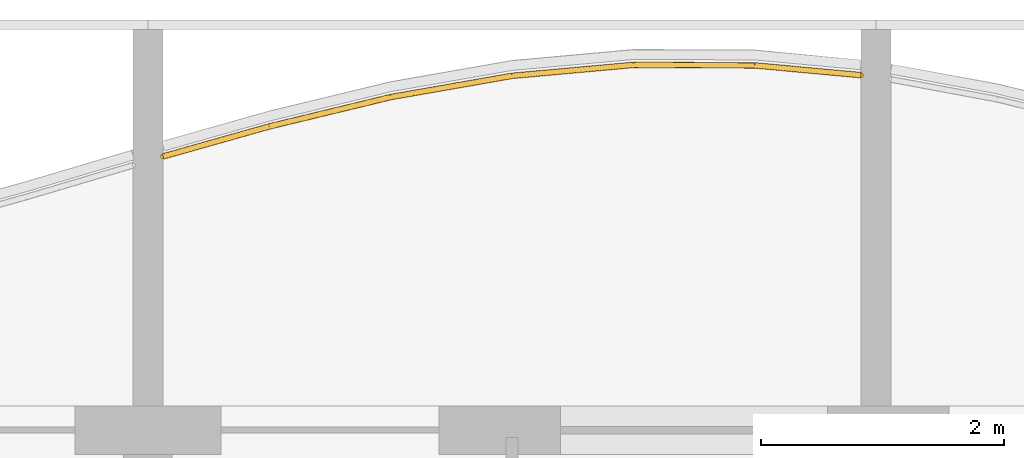
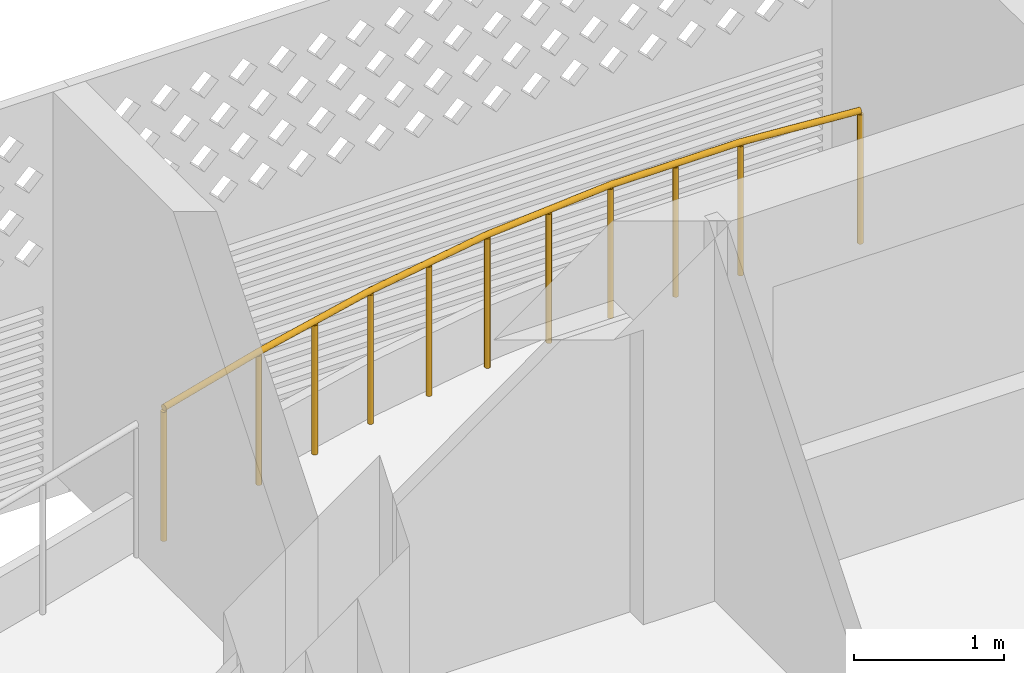
# One storey, part 31 of 39: 1 railing.
"""IFC4 building model written with IfcOpenShell, lengths in metres."""

from ifc_helpers import new_model, si_unit, direction, frame, origin, origin_2d, place, context, subcontext, project, spatial, circle, extrude, material, type_object, element, save


model = new_model("IFC4")

# Units and contexts
model_context = context("Model", 3, precision=1e-05, world=origin(), true_north=direction((0.0, 1.0)))
body_context = subcontext(model_context, "Body", "Model", "MODEL_VIEW")
ifc_project = project(units=[si_unit("LENGTHUNIT", "METRE"), si_unit("AREAUNIT", "SQUARE_METRE"), si_unit("VOLUMEUNIT", "CUBIC_METRE"), si_unit("PLANEANGLEUNIT", "RADIAN"), si_unit("MASSUNIT", "GRAM", prefix="KILO")], contexts=[model_context])

# Site, building, storey
site_placement = place(None, origin())
site = spatial("IfcSite", under=ifc_project, at=site_placement, CompositionType="ELEMENT")
building_placement = place(site_placement, origin())
building = spatial("IfcBuilding", under=site, at=building_placement, Name="Poui Terraces", CompositionType="ELEMENT")
storey_placement = place(building_placement, frame((0.0, 0.0, 56.39990234375)))
storey = spatial("IfcBuildingStorey", under=building, at=storey_placement, Name="L15", CompositionType="ELEMENT", Elevation=56.39990234375)

# Railing
ifc_material = material(Name="Painted steel fretwork", Category="steel")
railing_type = type_object("IfcRailingType", Name="BALCONY GUARD 1100", PredefinedType="GUARDRAIL", material=ifc_material)
railing_placement = place(storey_placement, frame((60.125, 47.0556640625, 0.0)))
element("IfcRailing", 1, at=railing_placement, inside=storey, type_object=railing_type, Name="BALCONY GUARD", PredefinedType="GUARDRAIL", context=body_context, shape_type="SweptSolid", body=[
    extrude(circle(Radius=0.02392578125, at=origin_2d()), frame((0.0, 0.0, 1.076171875), z_axis=(0.962370485881, 0.271740773357, 0.0), x_axis=(-0.271740773357, 0.962370485881, 0.0)), (0.0, 0.0, 1.0), 0.9091796875),
    extrude(circle(Radius=0.02392578125, at=origin_2d()), frame((0.875, 0.2470703125, 1.076171875), z_axis=(0.97195702449, 0.235158547673, 0.0), x_axis=(-0.235158547673, 0.97195702449, 0.0)), (0.0, 0.0, 1.0), 1.02880859375),
    extrude(circle(Radius=0.02392578125, at=origin_2d()), frame((1.875, 0.489013671875, 1.076171875), z_axis=(0.985022299221, 0.172426999156, 0.0), x_axis=(-0.172426999156, 0.985022299221, 0.0)), (0.0, 0.0, 1.0), 1.01513671875),
    extrude(circle(Radius=0.02392578125, at=origin_2d()), frame((2.875, 0.6640625, 1.076171875), z_axis=(0.995966620108, 0.089724531938, 0.0), x_axis=(-0.089724531938, 0.995966620108, 0.0)), (0.0, 0.0, 1.0), 1.004150390625),
    extrude(circle(Radius=0.02392578125, at=origin_2d()), frame((3.875, 0.754150390625, 1.076171875), z_axis=(0.999992370693, -0.003906220198, 0.0), x_axis=(0.003906220198, 0.999992370693, 0.0)), (0.0, 0.0, 1.0), 1.0),
    extrude(circle(Radius=0.02392578125, at=origin_2d()), frame((4.875, 0.750244140625, 1.076171875), z_axis=(0.995787779444, -0.091688048889, 0.0), x_axis=(0.091688048889, 0.995787779444, 0.0)), (0.0, 0.0, 1.0), 0.878662109375),
    extrude(circle(Radius=0.02099609375, at=origin_2d()), origin(), (0.0, 0.0, 1.0), 1.052001953125),
    extrude(circle(Radius=0.02099609375, at=origin_2d()), frame((0.875, 0.2470703125, 0.0)), (0.0, 0.0, 1.0), 1.052001953125),
    extrude(circle(Radius=0.02099609375, at=origin_2d()), frame((1.375, 0.3681640625, 0.0)), (0.0, 0.0, 1.0), 1.052001953125),
    extrude(circle(Radius=0.02099609375, at=origin_2d()), frame((1.875, 0.489013671875, 0.0)), (0.0, 0.0, 1.0), 1.052001953125),
    extrude(circle(Radius=0.02099609375, at=origin_2d()), frame((2.375, 0.57666015625, 0.0)), (0.0, 0.0, 1.0), 1.052001953125),
    extrude(circle(Radius=0.02099609375, at=origin_2d()), frame((2.875, 0.6640625, 0.0)), (0.0, 0.0, 1.0), 1.052001953125),
    extrude(circle(Radius=0.02099609375, at=origin_2d()), frame((3.375, 0.708984375, 0.0)), (0.0, 0.0, 1.0), 1.052001953125),
    extrude(circle(Radius=0.02099609375, at=origin_2d()), frame((3.875, 0.754150390625, 0.0)), (0.0, 0.0, 1.0), 1.052001953125),
    extrude(circle(Radius=0.02099609375, at=origin_2d()), frame((4.375, 0.752197265625, 0.0)), (0.0, 0.0, 1.0), 1.052001953125),
    extrude(circle(Radius=0.02099609375, at=origin_2d()), frame((4.875, 0.750244140625, 0.0)), (0.0, 0.0, 1.0), 1.052001953125),
    extrude(circle(Radius=0.02099609375, at=origin_2d()), frame((5.75, 0.669677734375, 0.0)), (0.0, 0.0, 1.0), 1.052001953125),
])

save(model, "model.ifc")
